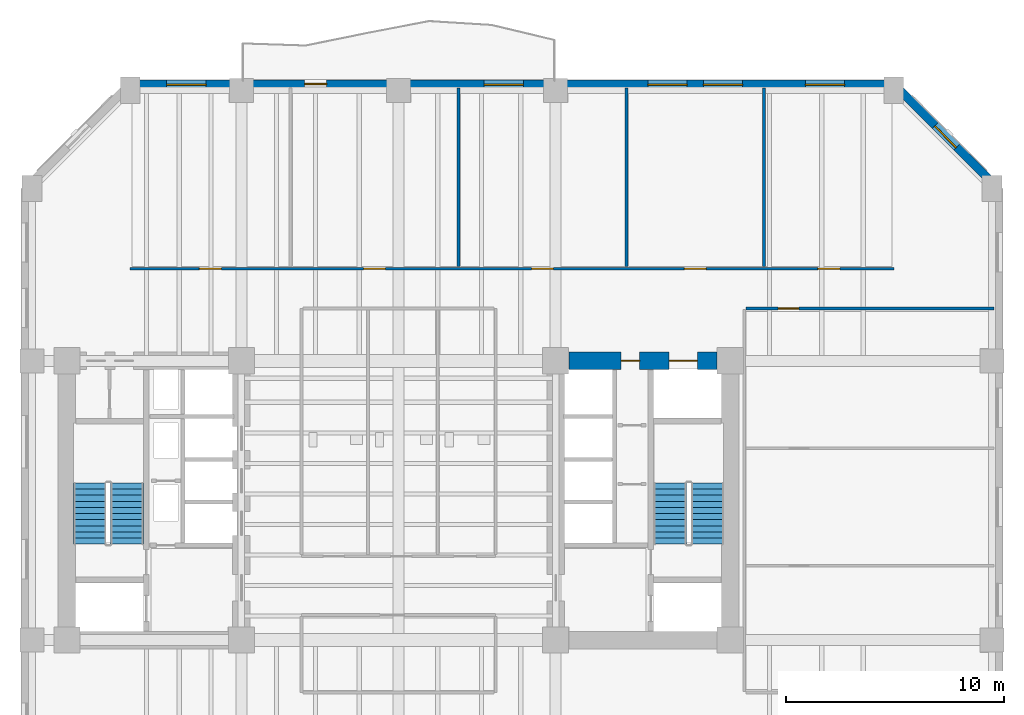
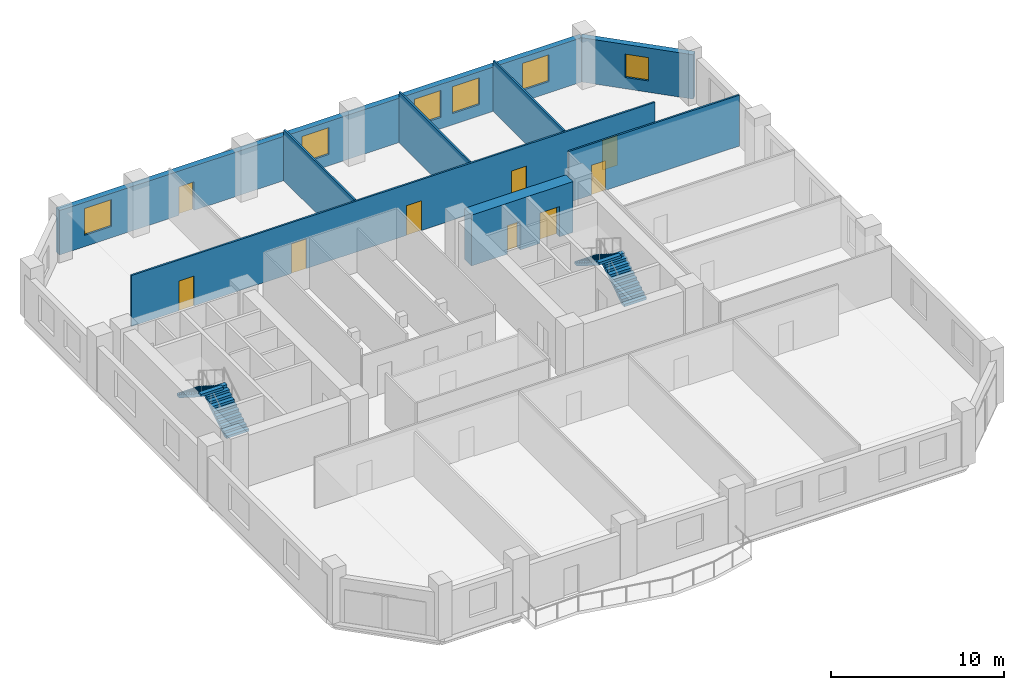
# One storey, part 5 of 9: 9 doors, 8 walls, 6 windows, 4 stair flights, 15 openings, 2 elements without a shape of their own.
"""IFC4 building model written with IfcOpenShell, lengths in metres."""

from ifc_helpers import new_model, si_unit, direction, frame, frame_2d, origin, place, context, subcontext, project, spatial, polyline, rectangle, outline, extrude, material, layer, layer_set, type_object, element, fill, aggregate, save


model = new_model("IFC4")

# Units and contexts
model_context = context("Model", 3, precision=1e-05, world=origin(), true_north=direction((0.0, 1.0)))
body_context = subcontext(model_context, "Body", "Model", "MODEL_VIEW")
ifc_project = project(units=[si_unit("LENGTHUNIT", "METRE"), si_unit("AREAUNIT", "SQUARE_METRE"), si_unit("VOLUMEUNIT", "CUBIC_METRE"), si_unit("PLANEANGLEUNIT", "RADIAN"), si_unit("MASSUNIT", "GRAM", prefix="KILO")], contexts=[model_context])

# Site, building, storey
site_placement = place(None, origin())
site = spatial("IfcSite", under=ifc_project, at=site_placement, CompositionType="ELEMENT")
building_placement = place(site_placement, origin())
building = spatial("IfcBuilding", under=site, at=building_placement, Name="Kranthara Brick Stack", CompositionType="ELEMENT")
storey_placement = place(building_placement, frame((0.0, 0.0, 63.300048828125)))
storey = spatial("IfcBuildingStorey", under=building, at=storey_placement, Name="L15", CompositionType="ELEMENT", Elevation=63.300048828125)

# Wall, openings, door, windows
ifc_material_1 = material(Name="Kiln-fired clay brick masonry M15", Category="masonry")
ifc_layer_1 = layer(ifc_material_1, 0.3798828125)
ifc_layer_set_1 = layer_set([ifc_layer_1], Name="Kiln-fired clay brick masonry M15")
wall_type_1 = type_object("IfcWallType", Name="WL-BRK-PIER-380", PredefinedType="STANDARD", material=ifc_layer_set_1)
wall_1_placement = place(storey_placement, frame((15.699951171875, 46.2900390625, 0.0), z_axis=(0.0, 0.0, 1.0), x_axis=(1.0, 0.0, 0.0)))
wall_1 = element("IfcWall", 1, at=wall_1_placement, inside=storey, type_object=wall_type_1, Name="L15 Exterior Brick Facade Wall NORTH 1", PredefinedType="STANDARD", context=body_context, shape_type="SweptSolid", body=[
    extrude(rectangle(XDim=35.0, YDim=0.3798828125, at=frame_2d((17.5, 0.0))), origin(), (0.0, 0.0, 1.0), 3.135009765625),
])
opening_1_placement = place(wall_1_placement, frame((8.0, 0.0, 0.0)))
opening_1 = element("IfcOpeningElement", 2, at=opening_1_placement, cuts=wall_1, Name="Opening D03", PredefinedType="OPENING", context=body_context, shape_type="SweptSolid", body=[
    extrude(rectangle(XDim=1.0, YDim=2.02001953125, at=frame_2d((0.5, 1.010009765625))), frame((0.0, 0.199951171875, 0.0), z_axis=(0.0, -1.0, 0.0), x_axis=(1.0, 0.0, 0.0)), (0.0, 0.0, 1.0), 0.39990234375),
])
opening_2_placement = place(wall_1_placement, frame((1.675048828125, 0.0, 0.800048828125)))
opening_2 = element("IfcOpeningElement", 3, at=opening_2_placement, cuts=wall_1, Name="Opening WN01", PredefinedType="OPENING", context=body_context, shape_type="SweptSolid", body=[
    extrude(rectangle(XDim=1.800048828125, YDim=1.89990234375, at=frame_2d((0.89990234375, 0.949951171875))), frame((0.0, 0.199951171875, 0.0), z_axis=(0.0, -1.0, 0.0), x_axis=(1.0, 0.0, 0.0)), (0.0, 0.0, 1.0), 0.39990234375),
])
opening_3_placement = place(wall_1_placement, frame((16.22509765625, 0.0, 0.800048828125)))
opening_3 = element("IfcOpeningElement", 4, at=opening_3_placement, cuts=wall_1, Name="Opening WN01", PredefinedType="OPENING", context=body_context, shape_type="SweptSolid", body=[
    extrude(rectangle(XDim=1.800048828125, YDim=1.89990234375, at=frame_2d((0.89990234375, 0.949951171875))), frame((0.0, 0.199951171875, 0.0), z_axis=(0.0, -1.0, 0.0), x_axis=(1.0, 0.0, 0.0)), (0.0, 0.0, 1.0), 0.39990234375),
])
opening_4_placement = place(wall_1_placement, frame((23.72802734375, 0.0, 0.800048828125)))
opening_4 = element("IfcOpeningElement", 5, at=opening_4_placement, cuts=wall_1, Name="Opening WN01", PredefinedType="OPENING", context=body_context, shape_type="SweptSolid", body=[
    extrude(rectangle(XDim=1.800048828125, YDim=1.89990234375, at=frame_2d((0.89990234375, 0.949951171875))), frame((0.0, 0.199951171875, 0.0), z_axis=(0.0, -1.0, 0.0), x_axis=(1.0, 0.0, 0.0)), (0.0, 0.0, 1.0), 0.39990234375),
])
opening_5_placement = place(wall_1_placement, frame((26.27197265625, 0.0, 0.800048828125)))
opening_5 = element("IfcOpeningElement", 6, at=opening_5_placement, cuts=wall_1, Name="Opening WN01", PredefinedType="OPENING", context=body_context, shape_type="SweptSolid", body=[
    extrude(rectangle(XDim=1.800048828125, YDim=1.89990234375, at=frame_2d((0.89990234375, 0.949951171875))), frame((0.0, 0.199951171875, 0.0), z_axis=(0.0, -1.0, 0.0), x_axis=(1.0, 0.0, 0.0)), (0.0, 0.0, 1.0), 0.39990234375),
])
opening_6_placement = place(wall_1_placement, frame((30.949951171875, 0.0, 0.800048828125)))
opening_6 = element("IfcOpeningElement", 7, at=opening_6_placement, cuts=wall_1, Name="Opening WN01", PredefinedType="OPENING", context=body_context, shape_type="SweptSolid", body=[
    extrude(rectangle(XDim=1.800048828125, YDim=1.89990234375, at=frame_2d((0.89990234375, 0.949951171875))), frame((0.0, 0.199951171875, 0.0), z_axis=(0.0, -1.0, 0.0), x_axis=(1.0, 0.0, 0.0)), (0.0, 0.0, 1.0), 0.39990234375),
])
ifc_material_2 = material(Name="Bronze anodised aluminium and laminated glass", Category="aluminium")
door_type_1 = type_object("IfcDoorType", Name="DR-BALC-1000", OperationType="NOTDEFINED", PredefinedType="DOOR", material=ifc_material_2)
door_1_placement = place(opening_1_placement, origin())
door_1 = element("IfcDoor", 8, at=door_1_placement, inside=storey, type_object=door_type_1, Name="L15 North Balcony Terrace Door", OperationType="SINGLE_SWING_RIGHT", OverallHeight=2.02001953125, OverallWidth=1.0, PredefinedType="DOOR", context=body_context, shape_type="SweptSolid", body=[
    extrude(rectangle(XDim=1.0, YDim=2.02001953125, at=frame_2d((0.5, 1.010009765625))), frame((0.0, 0.02490234375, 0.0), z_axis=(0.0, -1.0, 0.0), x_axis=(1.0, 0.0, 0.0)), (0.0, 0.0, 1.0), 0.050048828125),
])
fill(opening_1, door_1)
ifc_material_3 = material(Name="Double-glazed low-E solar control glass", Category="glass")
window_type_1 = type_object("IfcWindowType", Name="WN-OFF-1800x2000", PartitioningType="SINGLE_PANEL", PredefinedType="WINDOW", material=ifc_material_3)
window_1_placement = place(opening_2_placement, origin())
window_1 = element("IfcWindow", 9, at=window_1_placement, inside=storey, type_object=window_type_1, Name="L15 North Deep-Set Brick Window 01", OverallHeight=1.89990234375, OverallWidth=1.800048828125, PartitioningType="SINGLE_PANEL", PredefinedType="WINDOW", context=body_context, shape_type="SweptSolid", body=[
    extrude(rectangle(XDim=1.800048828125, YDim=1.89990234375, at=frame_2d((0.89990234375, 0.949951171875))), frame((0.0, -0.010009765625, 0.0), z_axis=(0.0, -1.0, 0.0), x_axis=(1.0, 0.0, 0.0)), (0.0, 0.0, 1.0), 0.06005859375),
])
fill(opening_2, window_1)
window_2_placement = place(opening_3_placement, origin())
window_2 = element("IfcWindow", 10, at=window_2_placement, inside=storey, type_object=window_type_1, Name="L15 North Deep-Set Brick Window 02", OverallHeight=1.89990234375, OverallWidth=1.800048828125, PartitioningType="SINGLE_PANEL", PredefinedType="WINDOW", context=body_context, shape_type="SweptSolid", body=[
    extrude(rectangle(XDim=1.800048828125, YDim=1.89990234375, at=frame_2d((0.89990234375, 0.949951171875))), frame((0.0, -0.010009765625, 0.0), z_axis=(0.0, -1.0, 0.0), x_axis=(1.0, 0.0, 0.0)), (0.0, 0.0, 1.0), 0.06005859375),
])
fill(opening_3, window_2)
window_3_placement = place(opening_4_placement, origin())
window_3 = element("IfcWindow", 11, at=window_3_placement, inside=storey, type_object=window_type_1, Name="L15 North Deep-Set Brick Window 03", OverallHeight=1.89990234375, OverallWidth=1.800048828125, PartitioningType="SINGLE_PANEL", PredefinedType="WINDOW", context=body_context, shape_type="SweptSolid", body=[
    extrude(rectangle(XDim=1.800048828125, YDim=1.89990234375, at=frame_2d((0.89990234375, 0.949951171875))), frame((0.0, -0.010009765625, 0.0), z_axis=(0.0, -1.0, 0.0), x_axis=(1.0, 0.0, 0.0)), (0.0, 0.0, 1.0), 0.06005859375),
])
fill(opening_4, window_3)
window_4_placement = place(opening_5_placement, origin())
window_4 = element("IfcWindow", 12, at=window_4_placement, inside=storey, type_object=window_type_1, Name="L15 North Deep-Set Brick Window 04", OverallHeight=1.89990234375, OverallWidth=1.800048828125, PartitioningType="SINGLE_PANEL", PredefinedType="WINDOW", context=body_context, shape_type="SweptSolid", body=[
    extrude(rectangle(XDim=1.800048828125, YDim=1.89990234375, at=frame_2d((0.89990234375, 0.949951171875))), frame((0.0, -0.010009765625, 0.0), z_axis=(0.0, -1.0, 0.0), x_axis=(1.0, 0.0, 0.0)), (0.0, 0.0, 1.0), 0.06005859375),
])
fill(opening_5, window_4)
window_5_placement = place(opening_6_placement, origin())
window_5 = element("IfcWindow", 13, at=window_5_placement, inside=storey, type_object=window_type_1, Name="L15 North Deep-Set Brick Window 05", OverallHeight=1.89990234375, OverallWidth=1.800048828125, PartitioningType="SINGLE_PANEL", PredefinedType="WINDOW", context=body_context, shape_type="SweptSolid", body=[
    extrude(rectangle(XDim=1.800048828125, YDim=1.89990234375, at=frame_2d((0.89990234375, 0.949951171875))), frame((0.0, -0.010009765625, 0.0), z_axis=(0.0, -1.0, 0.0), x_axis=(1.0, 0.0, 0.0)), (0.0, 0.0, 1.0), 0.06005859375),
])
fill(opening_6, window_5)

# Wall, opening, window
wall_2_placement = place(storey_placement, frame((50.699951171875, 46.2900390625, 0.0), z_axis=(0.0, 0.0, 1.0), x_axis=(0.707106781187, -0.707106781187, 0.0)))
wall_2 = element("IfcWall", 14, at=wall_2_placement, inside=storey, type_object=wall_type_1, Name="L15 Exterior Brick Facade Wall NE 1", PredefinedType="STANDARD", context=body_context, shape_type="SweptSolid", body=[
    extrude(rectangle(XDim=6.774169921875, YDim=0.3798828125, at=frame_2d((3.38720703125, 0.0))), origin(), (0.0, 0.0, 1.0), 3.135009765625),
])
opening_7_placement = place(wall_2_placement, frame((2.68701171875, 0.0, 0.800048828125)))
opening_7 = element("IfcOpeningElement", 15, at=opening_7_placement, cuts=wall_2, Name="Opening WN10", PredefinedType="OPENING", context=body_context, shape_type="SweptSolid", body=[
    extrude(rectangle(XDim=1.39990234375, YDim=1.64990234375, at=frame_2d((0.699951171875, 0.824951171875))), frame((0.0, 0.199951171875, 0.0), z_axis=(0.0, -1.0, 0.0), x_axis=(1.0, 0.0, 0.0)), (0.0, 0.0, 1.0), 0.39990234375),
])
ifc_material_4 = material(Name="Double-glazed low-E solar control glass", Category="glass")
window_type_2 = type_object("IfcWindowType", Name="WN-CHM-1400x1750", PartitioningType="SINGLE_PANEL", PredefinedType="WINDOW", material=ifc_material_4)
window_6_placement = place(opening_7_placement, origin())
window_6 = element("IfcWindow", 16, at=window_6_placement, inside=storey, type_object=window_type_2, Name="L15 NE Chamfer Corner Window", OverallHeight=1.64990234375, OverallWidth=1.39990234375, PartitioningType="SINGLE_PANEL", PredefinedType="WINDOW", context=body_context, shape_type="SweptSolid", body=[
    extrude(rectangle(XDim=1.39990234375, YDim=1.64990234375, at=frame_2d((0.699951171875, 0.824951171875))), frame((0.0, -0.010009765625, 0.0), z_axis=(0.0, -1.0, 0.0), x_axis=(1.0, 0.0, 0.0)), (0.0, 0.0, 1.0), 0.06005859375),
])
fill(opening_7, window_6)

# Wall, openings, doors
ifc_material_5 = material(Name="Concrete C70/85", Category="concrete")
ifc_layer_2 = layer(ifc_material_5, 0.800048828125)
ifc_layer_set_2 = layer_set([ifc_layer_2], Name="Concrete C70/85")
wall_type_2 = type_object("IfcWallType", Name="WL-CORE-800", PredefinedType="SHEAR", material=ifc_layer_set_2)
wall_3_placement = place(storey_placement, frame((35.804931640625, 33.60009765625, 0.0), z_axis=(0.0, 0.0, 1.0), x_axis=(1.0, 0.0, 0.0)))
wall_3 = element("IfcWall", 17, at=wall_3_placement, inside=storey, type_object=wall_type_2, Name="L15 East Core Shear Wall North", PredefinedType="SHEAR", context=body_context, shape_type="SweptSolid", body=[
    extrude(rectangle(XDim=6.7900390625, YDim=0.800048828125, at=frame_2d((3.39501953125, 0.0))), origin(), (0.0, 0.0, 1.0), 3.599853515625),
])
opening_8_placement = place(wall_3_placement, frame((4.594970703125, 0.0, 0.0)))
opening_8 = element("IfcOpeningElement", 18, at=opening_8_placement, cuts=wall_3, Name="Opening LD03", PredefinedType="OPENING", context=body_context, shape_type="SweptSolid", body=[
    extrude(rectangle(XDim=1.300048828125, YDim=2.14990234375, at=frame_2d((0.64990234375, 1.074951171875))), frame((0.0, 0.409912109375, 0.0), z_axis=(0.0, -1.0, 0.0), x_axis=(1.0, 0.0, 0.0)), (0.0, 0.0, 1.0), 0.820068359375),
])
opening_9_placement = place(wall_3_placement, frame((2.39501953125, 0.0, 0.0)))
opening_9 = element("IfcOpeningElement", 19, at=opening_9_placement, cuts=wall_3, Name="Opening D10", PredefinedType="OPENING", context=body_context, shape_type="SweptSolid", body=[
    extrude(rectangle(XDim=0.85009765625, YDim=2.02001953125, at=frame_2d((0.425048828125, 1.010009765625))), frame((0.0, 0.409912109375, 0.0), z_axis=(0.0, -1.0, 0.0), x_axis=(1.0, 0.0, 0.0)), (0.0, 0.0, 1.0), 0.820068359375),
])
ifc_material_6 = material(Name="Stainless steel sliding landing door", Category="steel")
door_type_2 = type_object("IfcDoorType", Name="DR-LD-SV1300", OperationType="DOUBLE_DOOR_SLIDING", PredefinedType="DOOR", material=ifc_material_6)
door_2_placement = place(opening_8_placement, origin())
door_2 = element("IfcDoor", 20, at=door_2_placement, inside=storey, type_object=door_type_2, Name="L15 Stretcher Service Lift SV-01 Landing Door", OperationType="DOUBLE_DOOR_SLIDING", OverallHeight=2.14990234375, OverallWidth=1.300048828125, PredefinedType="DOOR", context=body_context, shape_type="SweptSolid", body=[
    extrude(rectangle(XDim=1.300048828125, YDim=2.14990234375, at=frame_2d((0.64990234375, 1.074951171875))), frame((0.0, 0.02490234375, 0.0), z_axis=(0.0, -1.0, 0.0), x_axis=(1.0, 0.0, 0.0)), (0.0, 0.0, 1.0), 0.050048828125),
])
fill(opening_8, door_2)
ifc_material_7 = material(Name="Solid-core hardwood timber leaf in steel frame", Category="steel")
door_type_3 = type_object("IfcDoorType", Name="DR-RSR-850", OperationType="NOTDEFINED", PredefinedType="DOOR", material=ifc_material_7)
door_3_placement = place(opening_9_placement, origin())
door_3 = element("IfcDoor", 21, at=door_3_placement, inside=storey, type_object=door_type_3, Name="L15 East Core Service Room Door", OperationType="SINGLE_SWING_LEFT", OverallHeight=2.02001953125, OverallWidth=0.85009765625, PredefinedType="DOOR", context=body_context, shape_type="SweptSolid", body=[
    extrude(rectangle(XDim=0.85009765625, YDim=2.02001953125, at=frame_2d((0.425048828125, 1.010009765625))), frame((0.0, 0.02490234375, 0.0), z_axis=(0.0, -1.0, 0.0), x_axis=(1.0, 0.0, 0.0)), (0.0, 0.0, 1.0), 0.050048828125),
])
fill(opening_9, door_3)

ifc_material_8 = material(Name="Acoustic gypsum plasterboard partition", Category="other")
ifc_layer_3 = layer(ifc_material_8, 0.1201171875)
ifc_layer_set_3 = layer_set([ifc_layer_3], Name="Acoustic gypsum plasterboard partition")
wall_type_3 = type_object("IfcWallType", Name="WL-PART-120", PredefinedType="PARTITIONING", material=ifc_layer_set_3)
wall_4_placement = place(storey_placement, frame((15.699951171875, 37.820068359375, 0.0), z_axis=(0.0, 0.0, 1.0), x_axis=(1.0, 0.0, 0.0)))
wall_4 = element("IfcWall", 22, at=wall_4_placement, inside=storey, type_object=wall_type_3, Name="L15 Interior Partition 020", PredefinedType="PARTITIONING", context=body_context, shape_type="SweptSolid", body=[
    extrude(rectangle(XDim=35.0, YDim=0.1201171875, at=frame_2d((17.5, 0.0))), origin(), (0.0, 0.0, 1.0), 3.599853515625),
])
opening_10_placement = place(wall_4_placement, frame((3.175048828125, 0.0, 0.0)))
opening_10 = element("IfcOpeningElement", 23, at=opening_10_placement, cuts=wall_4, Name="Opening D13", PredefinedType="OPENING", context=body_context, shape_type="SweptSolid", body=[
    extrude(rectangle(XDim=1.0, YDim=2.10009765625, at=frame_2d((0.5, 1.050048828125))), frame((0.0, 0.070068359375, 0.0), z_axis=(0.0, -1.0, 0.0), x_axis=(1.0, 0.0, 0.0)), (0.0, 0.0, 1.0), 0.14013671875),
])
opening_11_placement = place(wall_4_placement, frame((10.699951171875, 0.0, 0.0)))
opening_11 = element("IfcOpeningElement", 24, at=opening_11_placement, cuts=wall_4, Name="Opening D13", PredefinedType="OPENING", context=body_context, shape_type="SweptSolid", body=[
    extrude(rectangle(XDim=1.0, YDim=2.10009765625, at=frame_2d((0.5, 1.050048828125))), frame((0.0, 0.070068359375, 0.0), z_axis=(0.0, -1.0, 0.0), x_axis=(1.0, 0.0, 0.0)), (0.0, 0.0, 1.0), 0.14013671875),
])
opening_12_placement = place(wall_4_placement, frame((18.39990234375, 0.0, 0.0)))
opening_12 = element("IfcOpeningElement", 25, at=opening_12_placement, cuts=wall_4, Name="Opening D13", PredefinedType="OPENING", context=body_context, shape_type="SweptSolid", body=[
    extrude(rectangle(XDim=1.0, YDim=2.10009765625, at=frame_2d((0.5, 1.050048828125))), frame((0.0, 0.070068359375, 0.0), z_axis=(0.0, -1.0, 0.0), x_axis=(1.0, 0.0, 0.0)), (0.0, 0.0, 1.0), 0.14013671875),
])
opening_13_placement = place(wall_4_placement, frame((25.39990234375, 0.0, 0.0)))
opening_13 = element("IfcOpeningElement", 26, at=opening_13_placement, cuts=wall_4, Name="Opening D13", PredefinedType="OPENING", context=body_context, shape_type="SweptSolid", body=[
    extrude(rectangle(XDim=1.0, YDim=2.10009765625, at=frame_2d((0.5, 1.050048828125))), frame((0.0, 0.070068359375, 0.0), z_axis=(0.0, -1.0, 0.0), x_axis=(1.0, 0.0, 0.0)), (0.0, 0.0, 1.0), 0.14013671875),
])
opening_14_placement = place(wall_4_placement, frame((31.52490234375, 0.0, 0.0)))
opening_14 = element("IfcOpeningElement", 27, at=opening_14_placement, cuts=wall_4, Name="Opening D13", PredefinedType="OPENING", context=body_context, shape_type="SweptSolid", body=[
    extrude(rectangle(XDim=1.0, YDim=2.10009765625, at=frame_2d((0.5, 1.050048828125))), frame((0.0, 0.070068359375, 0.0), z_axis=(0.0, -1.0, 0.0), x_axis=(1.0, 0.0, 0.0)), (0.0, 0.0, 1.0), 0.14013671875),
])
ifc_material_9 = material(Name="Solid-core hardwood timber leaf in steel frame", Category="steel")
door_type_4 = type_object("IfcDoorType", Name="DR-INT-1000", OperationType="NOTDEFINED", PredefinedType="DOOR", material=ifc_material_9)
door_4_placement = place(opening_10_placement, origin())
door_4 = element("IfcDoor", 28, at=door_4_placement, inside=storey, type_object=door_type_4, Name="L15 Meeting Room 14", OperationType="SINGLE_SWING_RIGHT", OverallHeight=2.10009765625, OverallWidth=1.0, PredefinedType="DOOR", context=body_context, shape_type="SweptSolid", body=[
    extrude(rectangle(XDim=1.0, YDim=2.10009765625, at=frame_2d((0.5, 1.050048828125))), frame((0.0, 0.02490234375, 0.0), z_axis=(0.0, -1.0, 0.0), x_axis=(1.0, 0.0, 0.0)), (0.0, 0.0, 1.0), 0.050048828125),
])
fill(opening_10, door_4)
door_5_placement = place(opening_11_placement, origin())
door_5 = element("IfcDoor", 29, at=door_5_placement, inside=storey, type_object=door_type_4, Name="L15 Meeting Room 15", OperationType="SINGLE_SWING_LEFT", OverallHeight=2.10009765625, OverallWidth=1.0, PredefinedType="DOOR", context=body_context, shape_type="SweptSolid", body=[
    extrude(rectangle(XDim=1.0, YDim=2.10009765625, at=frame_2d((0.5, 1.050048828125))), frame((0.0, 0.02490234375, 0.0), z_axis=(0.0, -1.0, 0.0), x_axis=(1.0, 0.0, 0.0)), (0.0, 0.0, 1.0), 0.050048828125),
])
fill(opening_11, door_5)
door_6_placement = place(opening_12_placement, origin())
door_6 = element("IfcDoor", 30, at=door_6_placement, inside=storey, type_object=door_type_4, Name="L15 Meeting Room 16", OperationType="SINGLE_SWING_RIGHT", OverallHeight=2.10009765625, OverallWidth=1.0, PredefinedType="DOOR", context=body_context, shape_type="SweptSolid", body=[
    extrude(rectangle(XDim=1.0, YDim=2.10009765625, at=frame_2d((0.5, 1.050048828125))), frame((0.0, 0.02490234375, 0.0), z_axis=(0.0, -1.0, 0.0), x_axis=(1.0, 0.0, 0.0)), (0.0, 0.0, 1.0), 0.050048828125),
])
fill(opening_12, door_6)
door_7_placement = place(opening_13_placement, origin())
door_7 = element("IfcDoor", 31, at=door_7_placement, inside=storey, type_object=door_type_4, Name="L15 Boardroom 17", OperationType="SINGLE_SWING_LEFT", OverallHeight=2.10009765625, OverallWidth=1.0, PredefinedType="DOOR", context=body_context, shape_type="SweptSolid", body=[
    extrude(rectangle(XDim=1.0, YDim=2.10009765625, at=frame_2d((0.5, 1.050048828125))), frame((0.0, 0.02490234375, 0.0), z_axis=(0.0, -1.0, 0.0), x_axis=(1.0, 0.0, 0.0)), (0.0, 0.0, 1.0), 0.050048828125),
])
fill(opening_13, door_7)
door_8_placement = place(opening_14_placement, origin())
door_8 = element("IfcDoor", 32, at=door_8_placement, inside=storey, type_object=door_type_4, Name="L15 Staff Pantry 18", OperationType="SINGLE_SWING_RIGHT", OverallHeight=2.10009765625, OverallWidth=1.0, PredefinedType="DOOR", context=body_context, shape_type="SweptSolid", body=[
    extrude(rectangle(XDim=1.0, YDim=2.10009765625, at=frame_2d((0.5, 1.050048828125))), frame((0.0, 0.02490234375, 0.0), z_axis=(0.0, -1.0, 0.0), x_axis=(1.0, 0.0, 0.0)), (0.0, 0.0, 1.0), 0.050048828125),
])
fill(opening_14, door_8)

# Walls
for number, where, z_axis, x_axis, name in (
    (33, (30.75, 37.919921875, 0.0), (0.0, 0.0, 1.0), (0.0, 1.0, 0.0), "L15 Interior Partition 022"),
    (34, (38.449951171875, 37.919921875, 0.0), (0.0, 0.0, 1.0), (0.0, 1.0, 0.0), "L15 Interior Partition 023"),
    (35, (44.75, 37.919921875, 0.0), (0.0, 0.0, 1.0), (0.0, 1.0, 0.0), "L15 Interior Partition 024"),
):
    element("IfcWall", number, at=place(storey_placement, frame(where, z_axis=z_axis, x_axis=x_axis)), inside=storey, type_object=wall_type_3, Name=name, PredefinedType="PARTITIONING", context=body_context, shape_type="SweptSolid", body=[
        extrude(rectangle(XDim=8.175048828125, YDim=0.1201171875, at=frame_2d((4.08740234375, 0.0))), origin(), (0.0, 0.0, 1.0), 3.599853515625),
    ])

# Wall, opening, door
wall_5_placement = place(storey_placement, frame((43.9150390625, 36.0, 0.0), z_axis=(0.0, 0.0, 1.0), x_axis=(1.0, 0.0, 0.0)))
wall_5 = element("IfcWall", 36, at=wall_5_placement, inside=storey, type_object=wall_type_3, Name="L15 Interior Partition 027", PredefinedType="PARTITIONING", context=body_context, shape_type="SweptSolid", body=[
    extrude(rectangle(XDim=11.3798828125, YDim=0.1201171875, at=frame_2d((5.68994140625, 0.0))), origin(), (0.0, 0.0, 1.0), 3.599853515625),
])
opening_15_placement = place(wall_5_placement, frame((1.485107421875, 0.0, 0.0)))
opening_15 = element("IfcOpeningElement", 37, at=opening_15_placement, cuts=wall_5, Name="Opening D14", PredefinedType="OPENING", context=body_context, shape_type="SweptSolid", body=[
    extrude(rectangle(XDim=0.949951171875, YDim=2.10009765625, at=frame_2d((0.47509765625, 1.050048828125))), frame((0.0, 0.070068359375, 0.0), z_axis=(0.0, -1.0, 0.0), x_axis=(1.0, 0.0, 0.0)), (0.0, 0.0, 1.0), 0.14013671875),
])
ifc_material_10 = material(Name="Solid-core hardwood timber leaf in steel frame", Category="steel")
door_type_5 = type_object("IfcDoorType", Name="DR-INT-950", OperationType="NOTDEFINED", PredefinedType="DOOR", material=ifc_material_10)
door_9_placement = place(opening_15_placement, origin())
door_9 = element("IfcDoor", 38, at=door_9_placement, inside=storey, type_object=door_type_5, Name="L15 East North Office 22", OperationType="SINGLE_SWING_RIGHT", OverallHeight=2.10009765625, OverallWidth=0.949951171875, PredefinedType="DOOR", context=body_context, shape_type="SweptSolid", body=[
    extrude(rectangle(XDim=0.949951171875, YDim=2.10009765625, at=frame_2d((0.47509765625, 1.050048828125))), frame((0.0, 0.02490234375, 0.0), z_axis=(0.0, -1.0, 0.0), x_axis=(1.0, 0.0, 0.0)), (0.0, 0.0, 1.0), 0.050048828125),
])
fill(opening_15, door_9)

# Stair, stair flights
ifc_material_11 = material(Name="Concrete C45/55", Category="concrete")
stair_type = type_object("IfcStairType", Name="ST-CORE-22R", PredefinedType="HALF_TURN_STAIR", material=ifc_material_11)
stair_1_placement = place(storey_placement, origin())
stair_1 = element("IfcStair", 39, at=stair_1_placement, inside=storey, type_object=stair_type, Name="L15 West Core Protected Exit Stair ST01", PredefinedType="HALF_TURN_STAIR")
ifc_material_12 = material(Name="Concrete C45/55", Category="concrete")
stair_flight_type = type_object("IfcStairFlightType", Name="SFL-RC-22R", PredefinedType="STRAIGHT", material=ifc_material_12)
stair_flight_1_placement = place(storey_placement, frame((15.550048828125, 25.199951171875, 0.0), z_axis=(0.0, 0.0, 1.0), x_axis=(0.0, 1.0, 0.0)))
stair_flight_1 = element("IfcStairFlight", 40, at=stair_flight_1_placement, type_object=stair_flight_type, Name="ST01 flight 1", NumberOfRisers=11, NumberOfTreads=10, PredefinedType="STRAIGHT", RiserHeight=0.177272727, TreadLength=0.28, context=body_context, shape_type="SweptSolid", body=[
    extrude(outline(polyline([(0.0, 0.0), (0.0, 0.17724609375), (0.280029296875, 0.17724609375), (0.280029296875, 0.3544921875), (0.56005859375, 0.3544921875), (0.56005859375, 0.53173828125), (0.840087890625, 0.53173828125), (0.840087890625, 0.708984375), (1.1201171875, 0.708984375), (1.1201171875, 0.886474609375), (1.39990234375, 0.886474609375), (1.39990234375, 1.063720703125), (1.679931640625, 1.063720703125), (1.679931640625, 1.240966796875), (1.9599609375, 1.240966796875), (1.9599609375, 1.418212890625), (2.239990234375, 1.418212890625), (2.239990234375, 1.595458984375), (2.52001953125, 1.595458984375), (2.52001953125, 1.772705078125), (2.800048828125, 1.772705078125), (2.800048828125, 1.949951171875), (2.800048828125, 1.59521484375), (0.2802734375, 0.0), (0.0, 0.0)])), frame((0.0, 0.75, 0.0), z_axis=(0.0, -1.0, 0.0), x_axis=(1.0, 0.0, 0.0)), (0.0, 0.0, 1.0), 1.5),
])
stair_flight_2_placement = place(storey_placement, frame((13.85009765625, 28.0, 1.949951171875), z_axis=(0.0, 0.0, 1.0), x_axis=(0.0, -1.0, 0.0)))
stair_flight_2 = element("IfcStairFlight", 41, at=stair_flight_2_placement, type_object=stair_flight_type, Name="ST01 flight 2", NumberOfRisers=11, NumberOfTreads=10, PredefinedType="STRAIGHT", RiserHeight=0.177272727, TreadLength=0.28, context=body_context, shape_type="SweptSolid", body=[
    extrude(outline(polyline([(0.0, 0.0), (0.0, 0.17724609375), (0.280029296875, 0.17724609375), (0.280029296875, 0.3544921875), (0.56005859375, 0.3544921875), (0.56005859375, 0.53173828125), (0.840087890625, 0.53173828125), (0.840087890625, 0.708984375), (1.1201171875, 0.708984375), (1.1201171875, 0.886474609375), (1.39990234375, 0.886474609375), (1.39990234375, 1.063720703125), (1.679931640625, 1.063720703125), (1.679931640625, 1.240966796875), (1.9599609375, 1.240966796875), (1.9599609375, 1.418212890625), (2.239990234375, 1.418212890625), (2.239990234375, 1.595458984375), (2.52001953125, 1.595458984375), (2.52001953125, 1.772705078125), (2.800048828125, 1.772705078125), (2.800048828125, 1.949951171875), (2.800048828125, 1.59521484375), (0.2802734375, 0.0), (0.0, 0.0)])), frame((0.0, 0.75, 0.0), z_axis=(0.0, -1.0, 0.0), x_axis=(1.0, 0.0, 0.0)), (0.0, 0.0, 1.0), 1.5),
])
aggregate(stair_1, [stair_flight_1, stair_flight_2])

stair_2_placement = place(storey_placement, origin())
stair_2 = element("IfcStair", 42, at=stair_2_placement, inside=storey, type_object=stair_type, Name="L15 East Core Protected Exit Stair ST02", PredefinedType="HALF_TURN_STAIR")
stair_flight_3_placement = place(storey_placement, frame((42.14990234375, 25.199951171875, 0.0), z_axis=(0.0, 0.0, 1.0), x_axis=(0.0, 1.0, 0.0)))
stair_flight_3 = element("IfcStairFlight", 43, at=stair_flight_3_placement, type_object=stair_flight_type, Name="ST02 flight 1", NumberOfRisers=11, NumberOfTreads=10, PredefinedType="STRAIGHT", RiserHeight=0.177272727, TreadLength=0.28, context=body_context, shape_type="SweptSolid", body=[
    extrude(outline(polyline([(0.0, 0.0), (0.0, 0.17724609375), (0.280029296875, 0.17724609375), (0.280029296875, 0.3544921875), (0.56005859375, 0.3544921875), (0.56005859375, 0.53173828125), (0.840087890625, 0.53173828125), (0.840087890625, 0.708984375), (1.1201171875, 0.708984375), (1.1201171875, 0.886474609375), (1.39990234375, 0.886474609375), (1.39990234375, 1.063720703125), (1.679931640625, 1.063720703125), (1.679931640625, 1.240966796875), (1.9599609375, 1.240966796875), (1.9599609375, 1.418212890625), (2.239990234375, 1.418212890625), (2.239990234375, 1.595458984375), (2.52001953125, 1.595458984375), (2.52001953125, 1.772705078125), (2.800048828125, 1.772705078125), (2.800048828125, 1.949951171875), (2.800048828125, 1.59521484375), (0.2802734375, 0.0), (0.0, 0.0)])), frame((0.0, 0.75, 0.0), z_axis=(0.0, -1.0, 0.0), x_axis=(1.0, 0.0, 0.0)), (0.0, 0.0, 1.0), 1.5),
])
stair_flight_4_placement = place(storey_placement, frame((40.449951171875, 28.0, 1.949951171875), z_axis=(0.0, 0.0, 1.0), x_axis=(0.0, -1.0, 0.0)))
stair_flight_4 = element("IfcStairFlight", 44, at=stair_flight_4_placement, type_object=stair_flight_type, Name="ST02 flight 2", NumberOfRisers=11, NumberOfTreads=10, PredefinedType="STRAIGHT", RiserHeight=0.177272727, TreadLength=0.28, context=body_context, shape_type="SweptSolid", body=[
    extrude(outline(polyline([(0.0, 0.0), (0.0, 0.17724609375), (0.280029296875, 0.17724609375), (0.280029296875, 0.3544921875), (0.56005859375, 0.3544921875), (0.56005859375, 0.53173828125), (0.840087890625, 0.53173828125), (0.840087890625, 0.708984375), (1.1201171875, 0.708984375), (1.1201171875, 0.886474609375), (1.39990234375, 0.886474609375), (1.39990234375, 1.063720703125), (1.679931640625, 1.063720703125), (1.679931640625, 1.240966796875), (1.9599609375, 1.240966796875), (1.9599609375, 1.418212890625), (2.239990234375, 1.418212890625), (2.239990234375, 1.595458984375), (2.52001953125, 1.595458984375), (2.52001953125, 1.772705078125), (2.800048828125, 1.772705078125), (2.800048828125, 1.949951171875), (2.800048828125, 1.59521484375), (0.2802734375, 0.0), (0.0, 0.0)])), frame((0.0, 0.75, 0.0), z_axis=(0.0, -1.0, 0.0), x_axis=(1.0, 0.0, 0.0)), (0.0, 0.0, 1.0), 1.5),
])
aggregate(stair_2, [stair_flight_3, stair_flight_4])

save(model, "model.ifc")
